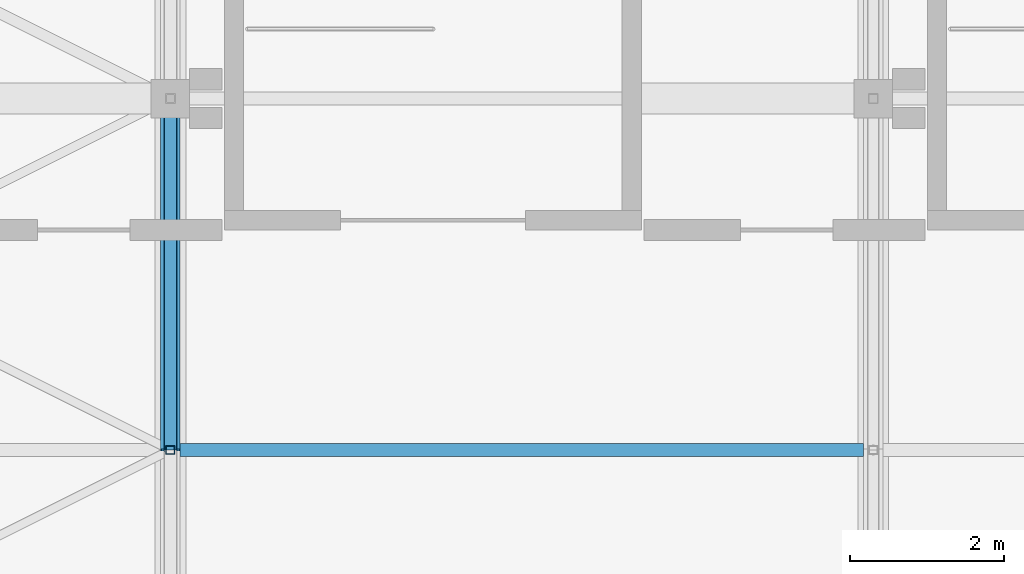
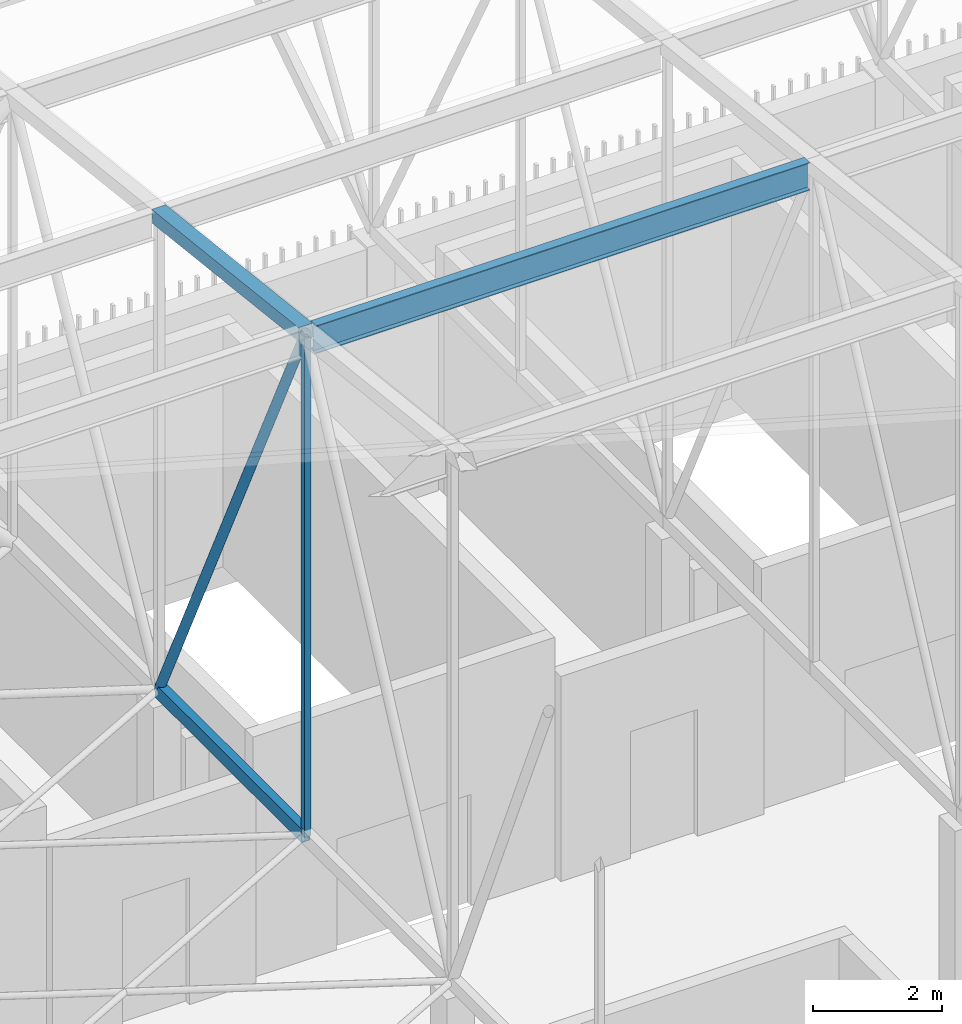
# One storey, part 223 of 500: 5 members.
"""IFC4 building model written with IfcOpenShell, lengths in metres."""

from ifc_helpers import new_model, si_unit, direction, frame, origin, origin_2d, place, context, subcontext, project, spatial, hollow_rectangle, hollow_circle, i_section, extrude, material, material_profile, profile_set, type_object, element, save


model = new_model("IFC4")

# Units and contexts
model_context = context("Model", 3, precision=1e-05, world=origin(), true_north=direction((0.0, 1.0)))
body_context = subcontext(model_context, "Body", "Model", "MODEL_VIEW")
ifc_project = project(units=[si_unit("LENGTHUNIT", "METRE"), si_unit("AREAUNIT", "SQUARE_METRE"), si_unit("VOLUMEUNIT", "CUBIC_METRE"), si_unit("PLANEANGLEUNIT", "RADIAN"), si_unit("MASSUNIT", "GRAM", prefix="KILO")], contexts=[model_context])

# Site, building, storey
site_placement = place(None, origin())
site = spatial("IfcSite", under=ifc_project, at=site_placement, CompositionType="ELEMENT")
building_placement = place(site_placement, origin())
building = spatial("IfcBuilding", under=site, at=building_placement, Name="Shirokan Park Arena", CompositionType="ELEMENT")
storey_placement = place(building_placement, frame((0.0, 0.0, 29.1201171875)))
storey = spatial("IfcBuildingStorey", under=building, at=storey_placement, Name="L06", CompositionType="ELEMENT", Elevation=29.1201171875)

# Members
ifc_material_1 = material(Name="Steel ASTM A500 Grade C", Category="steel")
ifc_material_profile_1 = material_profile(ifc_material_1, hollow_rectangle(XDim=0.152099609375, YDim=0.25390625, WallThickness=0.009521484375, at=origin_2d()), Name="HSS254X152.4X9.5")
ifc_profile_set_1 = profile_set([ifc_material_profile_1], Name="Steel ASTM A500 Grade C")
member_type_1 = type_object("IfcMemberType", Name="Bottom chord HSS254X152.4X9.5", PredefinedType="CHORD", material=ifc_profile_set_1)
member_1_placement = place(storey_placement, frame((9.10009765625, 95.550048828125, 4.677001953125), z_axis=(0.0, 1.0, 0.0), x_axis=(-1.0, 0.0, 0.0)))
element("IfcMember", 1, at=member_1_placement, inside=storey, type_object=member_type_1, Name="Truss T02 bottom chord 24", PredefinedType="CHORD", context=body_context, shape_type="SweptSolid", body=[
    extrude(hollow_rectangle(XDim=0.152099609375, YDim=0.25390625, WallThickness=0.009521484375, at=origin_2d()), origin(), (0.0, 0.0, 1.0), 4.550048828125),
])
ifc_material_2 = material(Name="Steel ASTM A992", Category="steel")
ifc_material_profile_2 = material_profile(ifc_material_2, i_section(OverallWidth=0.166015625, OverallDepth=0.528076171875, WebThickness=0.009765625, FlangeThickness=0.013671875, at=origin_2d()), Name="W530X74")
ifc_profile_set_2 = profile_set([ifc_material_profile_2], Name="Steel ASTM A992")
member_type_2 = type_object("IfcMemberType", Name="Purlin W530X74", PredefinedType="PURLIN", material=ifc_profile_set_2)
member_2_placement = place(storey_placement, frame((9.22705078125, 95.550048828125, 14.0458984375), z_axis=(1.0, 0.0, 0.0), x_axis=(0.0, 1.0, 0.0)))
element("IfcMember", 2, at=member_2_placement, inside=storey, type_object=member_type_2, Name="Purlin 24 bay 2", PredefinedType="PURLIN", context=body_context, shape_type="SweptSolid", body=[
    extrude(i_section(OverallWidth=0.166015625, OverallDepth=0.528076171875, WebThickness=0.009765625, FlangeThickness=0.013671875, at=origin_2d()), origin(), (0.0, 0.0, 1.0), 8.845947265625),
])
ifc_material_profile_3 = material_profile(ifc_material_1, hollow_rectangle(XDim=0.25390625, YDim=0.25390625, WallThickness=0.009521484375, at=origin_2d()), Name="HSS254X254X9.5")
ifc_profile_set_3 = profile_set([ifc_material_profile_3], Name="Steel ASTM A500 Grade C")
member_type_3 = type_object("IfcMemberType", Name="Top chord HSS254X254X9.5", PredefinedType="CHORD", material=ifc_profile_set_3)
member_3_placement = place(storey_placement, frame((9.10009765625, 95.550048828125, 14.182861328125), z_axis=(0.0, 0.993532328996, -0.113549598152), x_axis=(-1.0, 0.0, 0.0)))
element("IfcMember", 3, at=member_3_placement, inside=storey, type_object=member_type_3, Name="Truss T02 top chord 24", PredefinedType="CHORD", context=body_context, shape_type="SweptSolid", body=[
    extrude(hollow_rectangle(XDim=0.25390625, YDim=0.25390625, WallThickness=0.009521484375, at=origin_2d()), origin(), (0.0, 0.0, 1.0), 4.57958984375),
])
ifc_material_profile_4 = material_profile(ifc_material_1, hollow_circle(Radius=0.083984375, WallThickness=0.009521484375, at=origin_2d()), Name="HSS168.3X9.5")
ifc_profile_set_4 = profile_set([ifc_material_profile_4], Name="Steel ASTM A500 Grade C")
member_type_4 = type_object("IfcMemberType", Name="Truss diagonal HSS168.3X9.5", PredefinedType="BRACE", material=ifc_profile_set_4)
member_4_placement = place(storey_placement, frame((9.10009765625, 95.550048828125, 14.182861328125), z_axis=(0.0, 0.431746476626, -0.901994999942), x_axis=(-1.0, 0.0, 0.0)))
element("IfcMember", 4, at=member_4_placement, inside=storey, type_object=member_type_4, Name="Truss T02 diagonal 24", PredefinedType="BRACE", context=body_context, shape_type="SweptSolid", body=[
    extrude(hollow_circle(Radius=0.083984375, WallThickness=0.009521484375, at=origin_2d()), origin(), (0.0, 0.0, 1.0), 10.538818359375),
])
ifc_material_profile_5 = material_profile(ifc_material_1, hollow_rectangle(XDim=0.114013671875, YDim=0.114013671875, WallThickness=0.00634765625, at=origin_2d()), Name="HSS114.3X114.3X6.4")
ifc_profile_set_5 = profile_set([ifc_material_profile_5], Name="Steel ASTM A500 Grade C")
member_type_5 = type_object("IfcMemberType", Name="Truss post HSS114.3X114.3X6.4", PredefinedType="POST", material=ifc_profile_set_5)
member_5_placement = place(storey_placement, frame((9.10009765625, 95.550048828125, 4.677001953125), z_axis=(0.0, 0.0, 1.0), x_axis=(1.0, 0.0, 0.0)))
element("IfcMember", 5, at=member_5_placement, inside=storey, type_object=member_type_5, Name="Truss T02 post 24", PredefinedType="POST", context=body_context, shape_type="SweptSolid", body=[
    extrude(hollow_rectangle(XDim=0.114013671875, YDim=0.114013671875, WallThickness=0.00634765625, at=origin_2d()), origin(), (0.0, 0.0, 1.0), 9.505859375),
])

save(model, "model.ifc")
